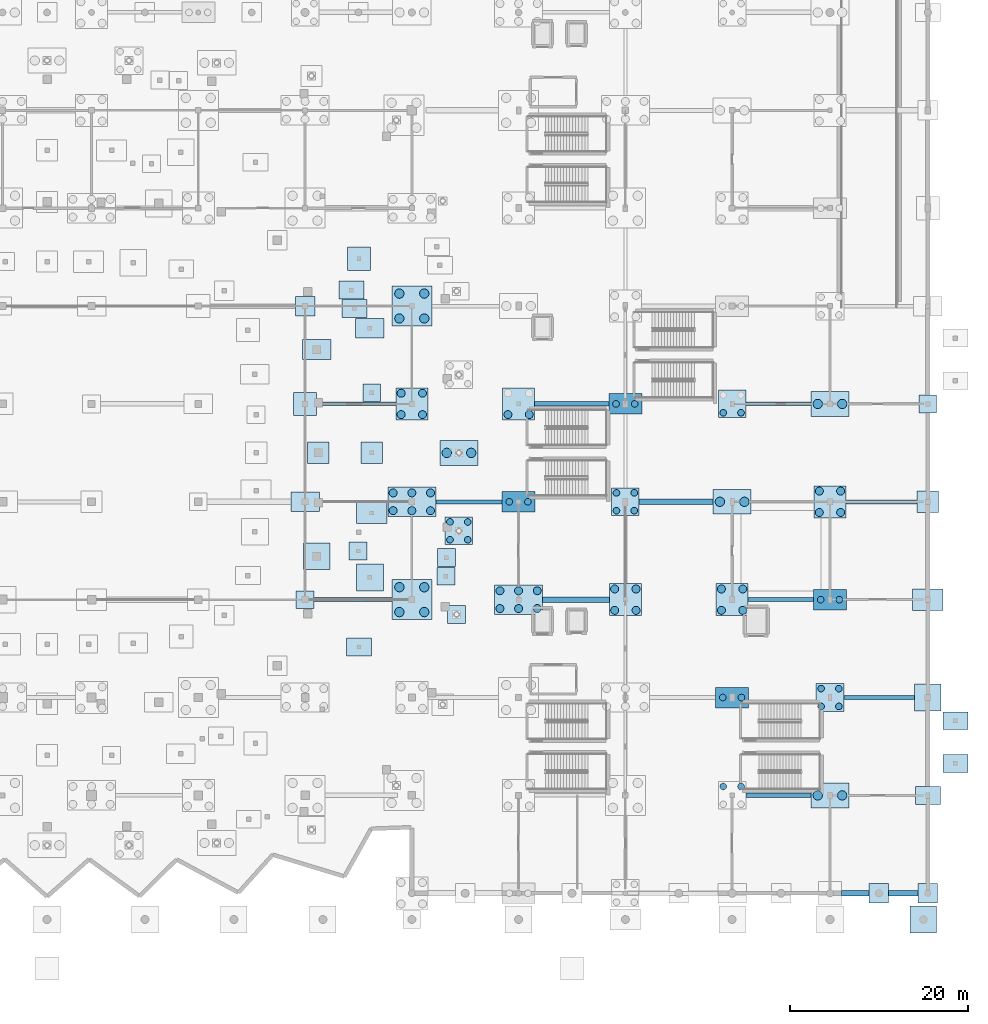
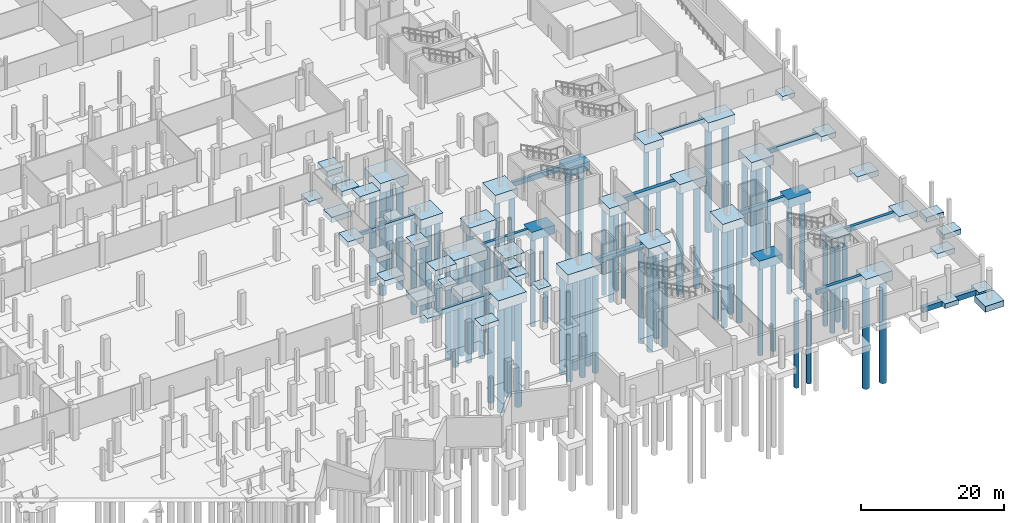
# One storey, part 6 of 60: 70 piles, 63 footings.
"""IFC4 building model written with IfcOpenShell, lengths in metres."""

from ifc_helpers import new_model, si_unit, direction, frame, origin, origin_2d, place, context, subcontext, project, spatial, rectangle, circle, extrude, material, material_profile, profile_set, type_object, element, save


model = new_model("IFC4")

# Units and contexts
model_context = context("Model", 3, precision=1e-05, world=origin(), true_north=direction((0.0, 1.0)))
body_context = subcontext(model_context, "Body", "Model", "MODEL_VIEW")
ifc_project = project(units=[si_unit("LENGTHUNIT", "METRE"), si_unit("AREAUNIT", "SQUARE_METRE"), si_unit("VOLUMEUNIT", "CUBIC_METRE"), si_unit("PLANEANGLEUNIT", "RADIAN"), si_unit("MASSUNIT", "GRAM", prefix="KILO")], contexts=[model_context])

# Site, building, storey
site_placement = place(None, origin())
site = spatial("IfcSite", under=ifc_project, at=site_placement, CompositionType="ELEMENT")
building_placement = place(site_placement, origin())
building = spatial("IfcBuilding", under=site, at=building_placement, Name="Luwafu Chhajja Arena", CompositionType="ELEMENT")
storey_placement = place(building_placement, frame((0.0, 0.0, -5.39990234375)))
storey = spatial("IfcBuildingStorey", under=building, at=storey_placement, Name="B1", CompositionType="ELEMENT", Elevation=-5.39990234375)

# Footings
ifc_material = material(Name="Concrete C35/45", Category="concrete")
footing_type_1 = type_object("IfcFootingType", Name="Arcade Corner Pad Footing PF-7", PredefinedType="PAD_FOOTING", material=ifc_material)
for number, where, z_axis, x_axis, name in (
    (1, (128.0, 33.0, -0.75), (0.0, 0.0, 1.0), (1.0, 0.0, 0.0), "Pad footing PAD-051"),
    (2, (198.0, 55.0, -0.75), (0.0, 0.0, 1.0), (1.0, 0.0, 0.0), "Pad footing PAD-080"),
    (3, (145.031982421875, 31.3388671875, -0.75), (0.0, 0.0, 1.0), (1.0, 0.0, 0.0), "Pad footing PAD-097"),
    (4, (135.490234375, 56.26123046875, -0.75), (0.0, 0.0, 1.0), (1.0, 0.0, 0.0), "Pad footing PAD-141"),
    (5, (133.9658203125, 38.466796875, -0.75), (0.0, 0.0, 1.0), (1.0, 0.0, 0.0), "Pad footing PAD-239"),
    (6, (143.834716796875, 35.626220703125, -0.75), (0.0, 0.0, 1.0), (1.0, 0.0, 0.0), "Pad footing PAD-240"),
    (7, (143.892822265625, 37.725341796875, -0.75), (0.0, 0.0, 1.0), (1.0, 0.0, 0.0), "Pad footing PAD-241"),
):
    element("IfcFooting", number, at=place(storey_placement, frame(where, z_axis=z_axis, x_axis=x_axis)), inside=storey, type_object=footing_type_1, Name=name, PredefinedType="PAD_FOOTING", context=body_context, shape_type="SweptSolid", body=[
        extrude(rectangle(XDim=2.0, YDim=2.0, at=origin_2d()), origin(), (0.0, 0.0, 1.0), 0.75),
    ])
ifc_material_profile_1 = material_profile(ifc_material, rectangle(XDim=0.39990234375, YDim=0.60009765625, at=origin_2d()), Name="RC 400x600")
ifc_profile_set_1 = profile_set([ifc_material_profile_1], Name="Concrete C35/45")
footing_type_2 = type_object("IfcFootingType", Name="Arcade Plinth Tie Beam GB-4", PredefinedType="FOOTING_BEAM", material=ifc_profile_set_1)
footing_1_placement = place(storey_placement, frame((129.300048828125, 55.0, -0.300048828125), z_axis=(1.0, 0.0, 0.0), x_axis=(0.0, 1.0, 0.0)))
element("IfcFooting", 8, at=footing_1_placement, inside=storey, type_object=footing_type_2, Name="Ground tie beam GB-X-046", PredefinedType="FOOTING_BEAM", context=body_context, shape_type="SweptSolid", body=[
    extrude(rectangle(XDim=0.39990234375, YDim=0.60009765625, at=origin_2d()), origin(), (0.0, 0.0, 1.0), 8.89990234375),
])
footing_2_placement = place(storey_placement, frame((177.550048828125, 55.0, -0.300048828125), z_axis=(1.0, 0.0, 0.0), x_axis=(0.0, 1.0, 0.0)))
element("IfcFooting", 9, at=footing_2_placement, inside=storey, type_object=footing_type_2, Name="Ground tie beam GB-X-048", PredefinedType="FOOTING_BEAM", context=body_context, shape_type="SweptSolid", body=[
    extrude(rectangle(XDim=0.39990234375, YDim=0.60009765625, at=origin_2d()), origin(), (0.0, 0.0, 1.0), 7.300048828125),
])

# Piles
ifc_material_profile_2 = material_profile(ifc_material, circle(Radius=0.52490234375, at=origin_2d()), Name="PILE D1050")
ifc_profile_set_2 = profile_set([ifc_material_profile_2], Name="Concrete C35/45")
pile_type_1 = type_object("IfcPileType", Name="Bored Socketed Pile D1050", PredefinedType="BORED", material=ifc_profile_set_2)
for number, where, z_axis, x_axis, name in (
    (10, (138.60009765625, 31.60009765625, -1.60009765625), (0.0, 0.0, -1.0), (1.0, 0.0, 0.0), "Bored pile PIL-PC-3-089-1"),
    (11, (141.39990234375, 31.60009765625, -1.60009765625), (0.0, 0.0, -1.0), (1.0, 0.0, 0.0), "Bored pile PIL-PC-3-089-2"),
    (12, (138.60009765625, 34.39990234375, -1.60009765625), (0.0, 0.0, -1.0), (1.0, 0.0, 0.0), "Bored pile PIL-PC-3-089-3"),
    (13, (141.39990234375, 34.39990234375, -1.60009765625), (0.0, 0.0, -1.0), (1.0, 0.0, 0.0), "Bored pile PIL-PC-3-089-4"),
    (14, (138.60009765625, 64.60009765625, -1.60009765625), (0.0, 0.0, -1.0), (1.0, 0.0, 0.0), "Bored pile PIL-PC-3-092-1"),
    (15, (141.39990234375, 64.60009765625, -1.60009765625), (0.0, 0.0, -1.0), (1.0, 0.0, 0.0), "Bored pile PIL-PC-3-092-2"),
    (16, (138.60009765625, 67.39990234375, -1.60009765625), (0.0, 0.0, -1.0), (1.0, 0.0, 0.0), "Bored pile PIL-PC-3-092-3"),
    (17, (141.39990234375, 67.39990234375, -1.60009765625), (0.0, 0.0, -1.0), (1.0, 0.0, 0.0), "Bored pile PIL-PC-3-092-4"),
    (18, (174.625, 44.0, -1.5), (0.0, 0.0, -1.0), (1.0, 0.0, 0.0), "Bored pile PIL-PC-2-118-1"),
    (19, (177.375, 44.0, -1.5), (0.0, 0.0, -1.0), (1.0, 0.0, 0.0), "Bored pile PIL-PC-2-118-2"),
    (20, (185.625, 11.0, -1.5), (0.0, 0.0, -1.0), (1.0, 0.0, 0.0), "Bored pile PIL-PC-2-124-1"),
    (21, (188.375, 11.0, -1.5), (0.0, 0.0, -1.0), (1.0, 0.0, 0.0), "Bored pile PIL-PC-2-124-2"),
    (22, (185.625, 55.0, -1.5), (0.0, 0.0, -1.0), (1.0, 0.0, 0.0), "Bored pile PIL-PC-2-128-1"),
    (23, (188.375, 55.0, -1.5), (0.0, 0.0, -1.0), (1.0, 0.0, 0.0), "Bored pile PIL-PC-2-128-2"),
    (24, (143.925048828125, 49.5, -1.5), (0.0, 0.0, -1.0), (1.0, 0.0, 0.0), "Bored pile PIL-PC-2-133-1"),
    (25, (146.675048828125, 49.5, -1.5), (0.0, 0.0, -1.0), (1.0, 0.0, 0.0), "Bored pile PIL-PC-2-133-2"),
):
    element("IfcPile", number, at=place(storey_placement, frame(where, z_axis=z_axis, x_axis=x_axis)), inside=storey, type_object=pile_type_1, Name=name, PredefinedType="BORED", context=body_context, shape_type="SweptSolid", body=[
        extrude(circle(Radius=0.52490234375, at=origin_2d()), origin(), (0.0, 0.0, 1.0), 18.0),
    ])
ifc_material_profile_3 = material_profile(ifc_material, circle(Radius=0.375, at=origin_2d()), Name="PILE D750")
ifc_profile_set_3 = profile_set([ifc_material_profile_3], Name="Concrete C35/45")
pile_type_2 = type_object("IfcPileType", Name="Bored Socketed Pile D750", PredefinedType="BORED", material=ifc_profile_set_3)
for number, where, z_axis, x_axis, name in (
    (26, (150.949951171875, 44.0, -1.35009765625), (0.0, 0.0, -1.0), (1.0, 0.0, 0.0), "Bored pile PIL-PC-6-099-1"),
    (27, (153.050048828125, 44.0, -1.35009765625), (0.0, 0.0, -1.0), (1.0, 0.0, 0.0), "Bored pile PIL-PC-6-099-2"),
):
    element("IfcPile", number, at=place(storey_placement, frame(where, z_axis=z_axis, x_axis=x_axis)), inside=storey, type_object=pile_type_2, Name=name, PredefinedType="BORED", context=body_context, shape_type="SweptSolid", body=[
        extrude(circle(Radius=0.375, at=origin_2d()), origin(), (0.0, 0.0, 1.0), 15.5),
    ])
for number, where, z_axis, x_axis, name in (
    (28, (163.0, 43.0, -1.300048828125), (0.0, 0.0, -1.0), (1.0, 0.0, 0.0), "Bored pile PIL-PC-4-109-1"),
    (29, (165.0, 43.0, -1.300048828125), (0.0, 0.0, -1.0), (1.0, 0.0, 0.0), "Bored pile PIL-PC-4-109-2"),
    (30, (163.0, 45.0, -1.300048828125), (0.0, 0.0, -1.0), (1.0, 0.0, 0.0), "Bored pile PIL-PC-4-109-3"),
    (31, (165.0, 45.0, -1.300048828125), (0.0, 0.0, -1.0), (1.0, 0.0, 0.0), "Bored pile PIL-PC-4-109-4"),
):
    element("IfcPile", number, at=place(storey_placement, frame(where, z_axis=z_axis, x_axis=x_axis)), inside=storey, type_object=pile_type_2, Name=name, PredefinedType="BORED", context=body_context, shape_type="SweptSolid", body=[
        extrude(circle(Radius=0.375, at=origin_2d()), origin(), (0.0, 0.0, 1.0), 15.0),
    ])
for number, where, z_axis, x_axis, name in (
    (32, (162.949951171875, 55.0, -1.35009765625), (0.0, 0.0, -1.0), (1.0, 0.0, 0.0), "Bored pile PIL-PC-6-110-1"),
    (33, (165.050048828125, 55.0, -1.35009765625), (0.0, 0.0, -1.0), (1.0, 0.0, 0.0), "Bored pile PIL-PC-6-110-2"),
):
    element("IfcPile", number, at=place(storey_placement, frame(where, z_axis=z_axis, x_axis=x_axis)), inside=storey, type_object=pile_type_2, Name=name, PredefinedType="BORED", context=body_context, shape_type="SweptSolid", body=[
        extrude(circle(Radius=0.375, at=origin_2d()), origin(), (0.0, 0.0, 1.0), 15.5),
    ])
for number, where, z_axis, x_axis, name in (
    (34, (175.0, 12.0, -1.300048828125), (0.0, 0.0, -1.0), (1.0, 0.0, 0.0), "Bored pile PIL-PC-4-115-3"),
    (35, (177.0, 12.0, -1.300048828125), (0.0, 0.0, -1.0), (1.0, 0.0, 0.0), "Bored pile PIL-PC-4-115-4"),
):
    element("IfcPile", number, at=place(storey_placement, frame(where, z_axis=z_axis, x_axis=x_axis)), inside=storey, type_object=pile_type_2, Name=name, PredefinedType="BORED", context=body_context, shape_type="SweptSolid", body=[
        extrude(circle(Radius=0.375, at=origin_2d()), origin(), (0.0, 0.0, 1.0), 15.0),
    ])
for number, where, z_axis, x_axis, name in (
    (36, (174.949951171875, 22.0, -1.35009765625), (0.0, 0.0, -1.0), (1.0, 0.0, 0.0), "Bored pile PIL-PC-6-116-1"),
    (37, (177.050048828125, 22.0, -1.35009765625), (0.0, 0.0, -1.0), (1.0, 0.0, 0.0), "Bored pile PIL-PC-6-116-2"),
):
    element("IfcPile", number, at=place(storey_placement, frame(where, z_axis=z_axis, x_axis=x_axis)), inside=storey, type_object=pile_type_2, Name=name, PredefinedType="BORED", context=body_context, shape_type="SweptSolid", body=[
        extrude(circle(Radius=0.375, at=origin_2d()), origin(), (0.0, 0.0, 1.0), 15.5),
    ])
for number, where, z_axis, x_axis, name in (
    (38, (175.0, 54.0, -1.300048828125), (0.0, 0.0, -1.0), (1.0, 0.0, 0.0), "Bored pile PIL-PC-4-119-1"),
    (39, (177.0, 54.0, -1.300048828125), (0.0, 0.0, -1.0), (1.0, 0.0, 0.0), "Bored pile PIL-PC-4-119-2"),
    (40, (186.0, 21.0, -1.300048828125), (0.0, 0.0, -1.0), (1.0, 0.0, 0.0), "Bored pile PIL-PC-4-125-1"),
    (41, (188.0, 21.0, -1.300048828125), (0.0, 0.0, -1.0), (1.0, 0.0, 0.0), "Bored pile PIL-PC-4-125-2"),
    (42, (186.0, 23.0, -1.300048828125), (0.0, 0.0, -1.0), (1.0, 0.0, 0.0), "Bored pile PIL-PC-4-125-3"),
    (43, (188.0, 23.0, -1.300048828125), (0.0, 0.0, -1.0), (1.0, 0.0, 0.0), "Bored pile PIL-PC-4-125-4"),
):
    element("IfcPile", number, at=place(storey_placement, frame(where, z_axis=z_axis, x_axis=x_axis)), inside=storey, type_object=pile_type_2, Name=name, PredefinedType="BORED", context=body_context, shape_type="SweptSolid", body=[
        extrude(circle(Radius=0.375, at=origin_2d()), origin(), (0.0, 0.0, 1.0), 15.0),
    ])
for number, where, z_axis, x_axis, name in (
    (44, (185.949951171875, 33.0, -1.35009765625), (0.0, 0.0, -1.0), (1.0, 0.0, 0.0), "Bored pile PIL-PC-6-126-1"),
    (45, (188.050048828125, 33.0, -1.35009765625), (0.0, 0.0, -1.0), (1.0, 0.0, 0.0), "Bored pile PIL-PC-6-126-2"),
):
    element("IfcPile", number, at=place(storey_placement, frame(where, z_axis=z_axis, x_axis=x_axis)), inside=storey, type_object=pile_type_2, Name=name, PredefinedType="BORED", context=body_context, shape_type="SweptSolid", body=[
        extrude(circle(Radius=0.375, at=origin_2d()), origin(), (0.0, 0.0, 1.0), 15.5),
    ])
for number, where, z_axis, x_axis, name in (
    (46, (144.28759765625, 39.730224609375, -1.300048828125), (0.0, 0.0, -1.0), (1.0, 0.0, 0.0), "Bored pile PIL-PC-4-148-1"),
    (47, (146.28759765625, 39.730224609375, -1.300048828125), (0.0, 0.0, -1.0), (1.0, 0.0, 0.0), "Bored pile PIL-PC-4-148-2"),
    (48, (144.28759765625, 41.730224609375, -1.300048828125), (0.0, 0.0, -1.0), (1.0, 0.0, 0.0), "Bored pile PIL-PC-4-148-3"),
    (49, (146.28759765625, 41.730224609375, -1.300048828125), (0.0, 0.0, -1.0), (1.0, 0.0, 0.0), "Bored pile PIL-PC-4-148-4"),
):
    element("IfcPile", number, at=place(storey_placement, frame(where, z_axis=z_axis, x_axis=x_axis)), inside=storey, type_object=pile_type_2, Name=name, PredefinedType="BORED", context=body_context, shape_type="SweptSolid", body=[
        extrude(circle(Radius=0.375, at=origin_2d()), origin(), (0.0, 0.0, 1.0), 15.0),
    ])
ifc_material_profile_4 = material_profile(ifc_material, circle(Radius=0.449951171875, at=origin_2d()), Name="PILE D900")
ifc_profile_set_4 = profile_set([ifc_material_profile_4], Name="Concrete C35/45")
pile_type_3 = type_object("IfcPileType", Name="Bored Socketed Pile D900", PredefinedType="BORED", material=ifc_profile_set_4)
for number, where, z_axis, x_axis, name in (
    (50, (137.89990234375, 43.0, -1.550048828125), (0.0, 0.0, -1.0), (1.0, 0.0, 0.0), "Bored pile PIL-PC-5-090-1"),
    (51, (140.0, 43.0, -1.550048828125), (0.0, 0.0, -1.0), (1.0, 0.0, 0.0), "Bored pile PIL-PC-5-090-2"),
    (52, (142.10009765625, 43.0, -1.550048828125), (0.0, 0.0, -1.0), (1.0, 0.0, 0.0), "Bored pile PIL-PC-5-090-3"),
    (53, (137.89990234375, 45.0, -1.550048828125), (0.0, 0.0, -1.0), (1.0, 0.0, 0.0), "Bored pile PIL-PC-5-090-4"),
    (54, (140.0, 45.0, -1.550048828125), (0.0, 0.0, -1.0), (1.0, 0.0, 0.0), "Bored pile PIL-PC-5-090-5"),
    (55, (142.10009765625, 45.0, -1.550048828125), (0.0, 0.0, -1.0), (1.0, 0.0, 0.0), "Bored pile PIL-PC-5-090-6"),
):
    element("IfcPile", number, at=place(storey_placement, frame(where, z_axis=z_axis, x_axis=x_axis)), inside=storey, type_object=pile_type_3, Name=name, PredefinedType="BORED", context=body_context, shape_type="SweptSolid", body=[
        extrude(circle(Radius=0.449951171875, at=origin_2d()), origin(), (0.0, 0.0, 1.0), 17.0),
    ])
for number, where, z_axis, x_axis, name in (
    (56, (138.800048828125, 53.800048828125, -1.400146484375), (0.0, 0.0, -1.0), (1.0, 0.0, 0.0), "Bored pile PIL-PC-1-091-1"),
    (57, (141.199951171875, 53.800048828125, -1.400146484375), (0.0, 0.0, -1.0), (1.0, 0.0, 0.0), "Bored pile PIL-PC-1-091-2"),
    (58, (138.800048828125, 56.199951171875, -1.400146484375), (0.0, 0.0, -1.0), (1.0, 0.0, 0.0), "Bored pile PIL-PC-1-091-3"),
    (59, (141.199951171875, 56.199951171875, -1.400146484375), (0.0, 0.0, -1.0), (1.0, 0.0, 0.0), "Bored pile PIL-PC-1-091-4"),
):
    element("IfcPile", number, at=place(storey_placement, frame(where, z_axis=z_axis, x_axis=x_axis)), inside=storey, type_object=pile_type_3, Name=name, PredefinedType="BORED", context=body_context, shape_type="SweptSolid", body=[
        extrude(circle(Radius=0.449951171875, at=origin_2d()), origin(), (0.0, 0.0, 1.0), 16.5),
    ])
for number, where, z_axis, x_axis, name in (
    (60, (149.89990234375, 32.0, -1.550048828125), (0.0, 0.0, -1.0), (1.0, 0.0, 0.0), "Bored pile PIL-PC-5-098-1"),
    (61, (152.0, 32.0, -1.550048828125), (0.0, 0.0, -1.0), (1.0, 0.0, 0.0), "Bored pile PIL-PC-5-098-2"),
    (62, (154.10009765625, 32.0, -1.550048828125), (0.0, 0.0, -1.0), (1.0, 0.0, 0.0), "Bored pile PIL-PC-5-098-3"),
    (63, (149.89990234375, 34.0, -1.550048828125), (0.0, 0.0, -1.0), (1.0, 0.0, 0.0), "Bored pile PIL-PC-5-098-4"),
    (64, (152.0, 34.0, -1.550048828125), (0.0, 0.0, -1.0), (1.0, 0.0, 0.0), "Bored pile PIL-PC-5-098-5"),
    (65, (154.10009765625, 34.0, -1.550048828125), (0.0, 0.0, -1.0), (1.0, 0.0, 0.0), "Bored pile PIL-PC-5-098-6"),
):
    element("IfcPile", number, at=place(storey_placement, frame(where, z_axis=z_axis, x_axis=x_axis)), inside=storey, type_object=pile_type_3, Name=name, PredefinedType="BORED", context=body_context, shape_type="SweptSolid", body=[
        extrude(circle(Radius=0.449951171875, at=origin_2d()), origin(), (0.0, 0.0, 1.0), 17.0),
    ])
for number, where, z_axis, x_axis, name in (
    (66, (150.800048828125, 53.800048828125, -1.400146484375), (0.0, 0.0, -1.0), (1.0, 0.0, 0.0), "Bored pile PIL-PC-1-100-1"),
    (67, (153.199951171875, 53.800048828125, -1.400146484375), (0.0, 0.0, -1.0), (1.0, 0.0, 0.0), "Bored pile PIL-PC-1-100-2"),
    (68, (162.800048828125, 31.800048828125, -1.400146484375), (0.0, 0.0, -1.0), (1.0, 0.0, 0.0), "Bored pile PIL-PC-1-108-1"),
    (69, (165.199951171875, 31.800048828125, -1.400146484375), (0.0, 0.0, -1.0), (1.0, 0.0, 0.0), "Bored pile PIL-PC-1-108-2"),
    (70, (162.800048828125, 34.199951171875, -1.400146484375), (0.0, 0.0, -1.0), (1.0, 0.0, 0.0), "Bored pile PIL-PC-1-108-3"),
    (71, (165.199951171875, 34.199951171875, -1.400146484375), (0.0, 0.0, -1.0), (1.0, 0.0, 0.0), "Bored pile PIL-PC-1-108-4"),
    (72, (174.800048828125, 31.800048828125, -1.400146484375), (0.0, 0.0, -1.0), (1.0, 0.0, 0.0), "Bored pile PIL-PC-1-117-1"),
    (73, (177.199951171875, 31.800048828125, -1.400146484375), (0.0, 0.0, -1.0), (1.0, 0.0, 0.0), "Bored pile PIL-PC-1-117-2"),
    (74, (174.800048828125, 34.199951171875, -1.400146484375), (0.0, 0.0, -1.0), (1.0, 0.0, 0.0), "Bored pile PIL-PC-1-117-3"),
    (75, (177.199951171875, 34.199951171875, -1.400146484375), (0.0, 0.0, -1.0), (1.0, 0.0, 0.0), "Bored pile PIL-PC-1-117-4"),
    (76, (185.800048828125, 42.800048828125, -1.400146484375), (0.0, 0.0, -1.0), (1.0, 0.0, 0.0), "Bored pile PIL-PC-1-127-1"),
    (77, (188.199951171875, 42.800048828125, -1.400146484375), (0.0, 0.0, -1.0), (1.0, 0.0, 0.0), "Bored pile PIL-PC-1-127-2"),
    (78, (185.800048828125, 45.199951171875, -1.400146484375), (0.0, 0.0, -1.0), (1.0, 0.0, 0.0), "Bored pile PIL-PC-1-127-3"),
    (79, (188.199951171875, 45.199951171875, -1.400146484375), (0.0, 0.0, -1.0), (1.0, 0.0, 0.0), "Bored pile PIL-PC-1-127-4"),
):
    element("IfcPile", number, at=place(storey_placement, frame(where, z_axis=z_axis, x_axis=x_axis)), inside=storey, type_object=pile_type_3, Name=name, PredefinedType="BORED", context=body_context, shape_type="SweptSolid", body=[
        extrude(circle(Radius=0.449951171875, at=origin_2d()), origin(), (0.0, 0.0, 1.0), 16.5),
    ])

# Footings
footing_type_3 = type_object("IfcFootingType", Name="Charbagh Arcade Pad Footing PF-2", PredefinedType="PAD_FOOTING", material=ifc_material)
for number, where, z_axis, x_axis, name in (
    (80, (128.0, 66.0, -0.80029296875), (0.0, 0.0, 1.0), (1.0, 0.0, 0.0), "Pad footing PAD-054"),
    (81, (198.0, 0.0, -0.80029296875), (0.0, 0.0, 1.0), (1.0, 0.0, 0.0), "Pad footing PAD-075"),
    (82, (192.5, 0.0, -0.80029296875), (0.0, 0.0, 1.0), (1.0, 0.0, 0.0), "Pad footing PAD-104"),
):
    element("IfcFooting", number, at=place(storey_placement, frame(where, z_axis=z_axis, x_axis=x_axis)), inside=storey, type_object=footing_type_3, Name=name, PredefinedType="PAD_FOOTING", context=body_context, shape_type="SweptSolid", body=[
        extrude(rectangle(XDim=2.199951171875, YDim=2.199951171875, at=origin_2d()), origin(), (0.0, 0.0, 1.0), 0.800048828125),
    ])
footing_type_4 = type_object("IfcFootingType", Name="Colonnade Pad Footing PF-1", PredefinedType="PAD_FOOTING", material=ifc_material)
for number, where, z_axis, x_axis, name in (
    (83, (128.0, 55.0, -0.900146484375), (0.0, 0.0, 1.0), (1.0, 0.0, 0.0), "Pad footing PAD-053"),
    (84, (134.06201171875, 71.322998046875, -0.900146484375), (0.0, 0.0, 1.0), (1.0, 0.0, 0.0), "Pad footing PAD-146"),
):
    element("IfcFooting", number, at=place(storey_placement, frame(where, z_axis=z_axis, x_axis=x_axis)), inside=storey, type_object=footing_type_4, Name=name, PredefinedType="PAD_FOOTING", context=body_context, shape_type="SweptSolid", body=[
        extrude(rectangle(XDim=2.60009765625, YDim=2.60009765625, at=origin_2d()), origin(), (0.0, 0.0, 1.0), 0.89990234375),
    ])
footing_type_5 = type_object("IfcFootingType", Name="Forecourt Canopy Pad Footing PF-3", PredefinedType="PAD_FOOTING", material=ifc_material)
for number, where, z_axis, x_axis, name in (
    (85, (198.0, 11.0, -0.85009765625), (0.0, 0.0, 1.0), (1.0, 0.0, 0.0), "Pad footing PAD-076"),
    (86, (134.06201171875, 27.677001953125, -0.85009765625), (0.0, 0.0, 1.0), (1.0, 0.0, 0.0), "Pad footing PAD-207"),
    (87, (201.10009765625, 14.60009765625, -0.85009765625), (0.0, 0.0, 1.0), (1.0, 0.0, 0.0), "Pad footing PAD-214"),
    (88, (201.10009765625, 19.39990234375, -0.85009765625), (0.0, 0.0, 1.0), (1.0, 0.0, 0.0), "Pad footing PAD-215"),
    (89, (133.542236328125, 65.724609375, -0.85009765625), (0.0, 0.0, 1.0), (1.0, 0.0, 0.0), "Pad footing PAD-218"),
    (90, (133.216796875, 67.799072265625, -0.85009765625), (0.0, 0.0, 1.0), (1.0, 0.0, 0.0), "Pad footing PAD-219"),
):
    element("IfcFooting", number, at=place(storey_placement, frame(where, z_axis=z_axis, x_axis=x_axis)), inside=storey, type_object=footing_type_5, Name=name, PredefinedType="PAD_FOOTING", context=body_context, shape_type="SweptSolid", body=[
        extrude(rectangle(XDim=2.800048828125, YDim=2.0, at=origin_2d()), origin(), (0.0, 0.0, 1.0), 0.85009765625),
    ])
footing_type_6 = type_object("IfcFootingType", Name="Light Court Pad Footing PF-8", PredefinedType="PAD_FOOTING", material=ifc_material)
for number, where, z_axis, x_axis, name in (
    (91, (128.0, 44.0, -0.900146484375), (0.0, 0.0, 1.0), (1.0, 0.0, 0.0), "Pad footing PAD-052"),
    (92, (135.288818359375, 63.501708984375, -0.900146484375), (0.0, 0.0, 1.0), (1.0, 0.0, 0.0), "Pad footing PAD-143"),
    (93, (129.323486328125, 61.11328125, -0.900146484375), (0.0, 0.0, 1.0), (1.0, 0.0, 0.0), "Pad footing PAD-144"),
):
    element("IfcFooting", number, at=place(storey_placement, frame(where, z_axis=z_axis, x_axis=x_axis)), inside=storey, type_object=footing_type_6, Name=name, PredefinedType="PAD_FOOTING", context=body_context, shape_type="SweptSolid", body=[
        extrude(rectangle(XDim=3.199951171875, YDim=2.199951171875, at=origin_2d()), origin(), (0.0, 0.0, 1.0), 0.89990234375),
    ])
footing_type_7 = type_object("IfcFootingType", Name="Pavilion Corner Pad Footing PF-4", PredefinedType="PAD_FOOTING", material=ifc_material)
for number, where, z_axis, x_axis, name in (
    (94, (198.0, 22.0, -1.0), (0.0, 0.0, 1.0), (1.0, 0.0, 0.0), "Pad footing PAD-077"),
    (95, (197.5, -2.949951171875, -1.0), (0.0, 0.0, 1.0), (1.0, 0.0, 0.0), "Pad footing PAD-136"),
    (96, (135.288818359375, 35.498291015625, -1.0), (0.0, 0.0, 1.0), (1.0, 0.0, 0.0), "Pad footing PAD-209"),
    (97, (129.323486328125, 37.88671875, -1.0), (0.0, 0.0, 1.0), (1.0, 0.0, 0.0), "Pad footing PAD-210"),
):
    element("IfcFooting", number, at=place(storey_placement, frame(where, z_axis=z_axis, x_axis=x_axis)), inside=storey, type_object=footing_type_7, Name=name, PredefinedType="PAD_FOOTING", context=body_context, shape_type="SweptSolid", body=[
        extrude(rectangle(XDim=3.0, YDim=3.0, at=origin_2d()), origin(), (0.0, 0.0, 1.0), 1.0),
    ])
ifc_material_profile_5 = material_profile(ifc_material, rectangle(XDim=0.449951171875, YDim=0.75, at=origin_2d()), Name="RC 450x750")
ifc_profile_set_5 = profile_set([ifc_material_profile_5], Name="Concrete C35/45")
footing_type_8 = type_object("IfcFootingType", Name="Perimeter Plinth Ground Beam GB-3", PredefinedType="FOOTING_BEAM", material=ifc_profile_set_5)
footing_3_placement = place(storey_placement, frame((129.0, 33.0, -0.375), z_axis=(1.0, 0.0, 0.0), x_axis=(0.0, 1.0, 0.0)))
element("IfcFooting", 98, at=footing_3_placement, inside=storey, type_object=footing_type_8, Name="Ground tie beam GB-X-029", PredefinedType="FOOTING_BEAM", context=body_context, shape_type="SweptSolid", body=[
    extrude(rectangle(XDim=0.449951171875, YDim=0.75, at=origin_2d()), origin(), (0.0, 0.0, 1.0), 8.75),
])
footing_4_placement = place(storey_placement, frame((177.800048828125, 33.0, -0.375), z_axis=(1.0, 0.0, 0.0), x_axis=(0.0, 1.0, 0.0)))
element("IfcFooting", 99, at=footing_4_placement, inside=storey, type_object=footing_type_8, Name="Ground tie beam GB-X-031", PredefinedType="FOOTING_BEAM", context=body_context, shape_type="SweptSolid", body=[
    extrude(rectangle(XDim=0.449951171875, YDim=0.75, at=origin_2d()), origin(), (0.0, 0.0, 1.0), 7.349853515625),
])
footing_5_placement = place(storey_placement, frame((142.699951171875, 44.0, -0.375), z_axis=(1.0, 0.0, 0.0), x_axis=(0.0, 1.0, 0.0)))
element("IfcFooting", 100, at=footing_5_placement, inside=storey, type_object=footing_type_8, Name="Ground tie beam GB-X-038", PredefinedType="FOOTING_BEAM", context=body_context, shape_type="SweptSolid", body=[
    extrude(rectangle(XDim=0.449951171875, YDim=0.75, at=origin_2d()), origin(), (0.0, 0.0, 1.0), 7.449951171875),
])
footing_6_placement = place(storey_placement, frame((188.800048828125, 44.0, -0.375), z_axis=(1.0, 0.0, 0.0), x_axis=(0.0, 1.0, 0.0)))
element("IfcFooting", 101, at=footing_6_placement, inside=storey, type_object=footing_type_8, Name="Ground tie beam GB-X-040", PredefinedType="FOOTING_BEAM", context=body_context, shape_type="SweptSolid", body=[
    extrude(rectangle(XDim=0.449951171875, YDim=0.75, at=origin_2d()), origin(), (0.0, 0.0, 1.0), 8.0),
])
ifc_material_profile_6 = material_profile(ifc_material, rectangle(XDim=0.60009765625, YDim=0.89990234375, at=origin_2d()), Name="RC 600x900")
ifc_profile_set_6 = profile_set([ifc_material_profile_6], Name="Concrete C35/45")
footing_type_9 = type_object("IfcFootingType", Name="Primary Ground Tie Beam GB-1", PredefinedType="FOOTING_BEAM", material=ifc_profile_set_6)
footing_7_placement = place(storey_placement, frame((188.300048828125, 0.0, -0.4501953125), z_axis=(1.0, 0.0, 0.0), x_axis=(0.0, 1.0, 0.0)))
element("IfcFooting", 102, at=footing_7_placement, inside=storey, type_object=footing_type_9, Name="Ground tie beam GB-X-006", PredefinedType="FOOTING_BEAM", context=body_context, shape_type="SweptSolid", body=[
    extrude(rectangle(XDim=0.60009765625, YDim=0.89990234375, at=origin_2d()), origin(), (0.0, 0.0, 1.0), 8.599853515625),
])
footing_8_placement = place(storey_placement, frame((154.699951171875, 33.0, -0.4501953125), z_axis=(1.0, 0.0, 0.0), x_axis=(0.0, 1.0, 0.0)))
element("IfcFooting", 103, at=footing_8_placement, inside=storey, type_object=footing_type_9, Name="Ground tie beam GB-X-030", PredefinedType="FOOTING_BEAM", context=body_context, shape_type="SweptSolid", body=[
    extrude(rectangle(XDim=0.60009765625, YDim=0.89990234375, at=origin_2d()), origin(), (0.0, 0.0, 1.0), 7.5),
])
footing_9_placement = place(storey_placement, frame((165.550048828125, 44.0, -0.4501953125), z_axis=(1.0, 0.0, 0.0), x_axis=(0.0, 1.0, 0.0)))
element("IfcFooting", 104, at=footing_9_placement, inside=storey, type_object=footing_type_9, Name="Ground tie beam GB-X-039", PredefinedType="FOOTING_BEAM", context=body_context, shape_type="SweptSolid", body=[
    extrude(rectangle(XDim=0.60009765625, YDim=0.89990234375, at=origin_2d()), origin(), (0.0, 0.0, 1.0), 8.300048828125),
])
footing_type_10 = type_object("IfcFootingType", Name="Raker Plinth Pad Footing PF-6", PredefinedType="PAD_FOOTING", material=ifc_material)
for number, where, z_axis, x_axis, name in (
    (105, (198.0, 44.0, -0.85009765625), (0.0, 0.0, 1.0), (1.0, 0.0, 0.0), "Pad footing PAD-079"),
    (106, (135.5, 49.5, -0.85009765625), (0.0, 0.0, 1.0), (1.0, 0.0, 0.0), "Pad footing PAD-138"),
    (107, (129.5, 49.5, -0.85009765625), (0.0, 0.0, 1.0), (1.0, 0.0, 0.0), "Pad footing PAD-139"),
):
    element("IfcFooting", number, at=place(storey_placement, frame(where, z_axis=z_axis, x_axis=x_axis)), inside=storey, type_object=footing_type_10, Name=name, PredefinedType="PAD_FOOTING", context=body_context, shape_type="SweptSolid", body=[
        extrude(rectangle(XDim=2.39990234375, YDim=2.39990234375, at=origin_2d()), origin(), (0.0, 0.0, 1.0), 0.85009765625),
    ])
footing_type_11 = type_object("IfcFootingType", Name="Ramp Toe Pad Footing PF-5", PredefinedType="PAD_FOOTING", material=ifc_material)
for number, where, z_axis, x_axis, name in (
    (108, (198.0, 33.0, -0.9501953125), (0.0, 0.0, 1.0), (1.0, 0.0, 0.0), "Pad footing PAD-078"),
    (109, (135.490234375, 42.73876953125, -0.9501953125), (0.0, 0.0, 1.0), (1.0, 0.0, 0.0), "Pad footing PAD-212"),
):
    element("IfcFooting", number, at=place(storey_placement, frame(where, z_axis=z_axis, x_axis=x_axis)), inside=storey, type_object=footing_type_11, Name=name, PredefinedType="PAD_FOOTING", context=body_context, shape_type="SweptSolid", body=[
        extrude(rectangle(XDim=3.39990234375, YDim=2.39990234375, at=origin_2d()), origin(), (0.0, 0.0, 1.0), 0.949951171875),
    ])
footing_type_12 = type_object("IfcFootingType", Name="Reinforced Concrete Pile Cap PC-1", PredefinedType="PILE_CAP", material=ifc_material)
for number, where, z_axis, x_axis, name in (
    (110, (140.0, 55.0, -1.5), (0.0, 0.0, 1.0), (1.0, 0.0, 0.0), "Pile cap PC-1 091"),
    (111, (152.0, 55.0, -1.5), (0.0, 0.0, 1.0), (1.0, 0.0, 0.0), "Pile cap PC-1 100"),
    (112, (164.0, 33.0, -1.5), (0.0, 0.0, 1.0), (1.0, 0.0, 0.0), "Pile cap PC-1 108"),
    (113, (176.0, 33.0, -1.5), (0.0, 0.0, 1.0), (1.0, 0.0, 0.0), "Pile cap PC-1 117"),
    (114, (187.0, 44.0, -1.5), (0.0, 0.0, 1.0), (1.0, 0.0, 0.0), "Pile cap PC-1 127"),
):
    element("IfcFooting", number, at=place(storey_placement, frame(where, z_axis=z_axis, x_axis=x_axis)), inside=storey, type_object=footing_type_12, Name=name, PredefinedType="PILE_CAP", context=body_context, shape_type="SweptSolid", body=[
        extrude(rectangle(XDim=3.60009765625, YDim=3.60009765625, at=origin_2d()), origin(), (0.0, 0.0, 1.0), 1.5),
    ])
footing_type_13 = type_object("IfcFootingType", Name="Reinforced Concrete Pile Cap PC-2", PredefinedType="PILE_CAP", material=ifc_material)
for number, where, z_axis, x_axis, name in (
    (115, (176.0, 44.0, -1.60009765625), (0.0, 0.0, 1.0), (1.0, 0.0, 0.0), "Pile cap PC-2 118"),
    (116, (187.0, 11.0, -1.60009765625), (0.0, 0.0, 1.0), (1.0, 0.0, 0.0), "Pile cap PC-2 124"),
    (117, (187.0, 55.0, -1.60009765625), (0.0, 0.0, 1.0), (1.0, 0.0, 0.0), "Pile cap PC-2 128"),
    (118, (145.300048828125, 49.5, -1.60009765625), (0.0, 0.0, 1.0), (1.0, 0.0, 0.0), "Pile cap PC-2 133"),
):
    element("IfcFooting", number, at=place(storey_placement, frame(where, z_axis=z_axis, x_axis=x_axis)), inside=storey, type_object=footing_type_13, Name=name, PredefinedType="PILE_CAP", context=body_context, shape_type="SweptSolid", body=[
        extrude(rectangle(XDim=4.300048828125, YDim=2.800048828125, at=origin_2d()), origin(), (0.0, 0.0, 1.0), 1.60009765625),
    ])
footing_type_14 = type_object("IfcFootingType", Name="Reinforced Concrete Pile Cap PC-3", PredefinedType="PILE_CAP", material=ifc_material)
for number, where, z_axis, x_axis, name in (
    (119, (140.0, 33.0, -1.7001953125), (0.0, 0.0, 1.0), (1.0, 0.0, 0.0), "Pile cap PC-3 089"),
    (120, (140.0, 66.0, -1.7001953125), (0.0, 0.0, 1.0), (1.0, 0.0, 0.0), "Pile cap PC-3 092"),
):
    element("IfcFooting", number, at=place(storey_placement, frame(where, z_axis=z_axis, x_axis=x_axis)), inside=storey, type_object=footing_type_14, Name=name, PredefinedType="PILE_CAP", context=body_context, shape_type="SweptSolid", body=[
        extrude(rectangle(XDim=4.5, YDim=4.5, at=origin_2d()), origin(), (0.0, 0.0, 1.0), 1.699951171875),
    ])
footing_type_15 = type_object("IfcFootingType", Name="Reinforced Concrete Pile Cap PC-4", PredefinedType="PILE_CAP", material=ifc_material)
for number, where, z_axis, x_axis, name in (
    (121, (164.0, 44.0, -1.400146484375), (0.0, 0.0, 1.0), (1.0, 0.0, 0.0), "Pile cap PC-4 109"),
    (122, (176.0, 55.0, -1.400146484375), (0.0, 0.0, 1.0), (1.0, 0.0, 0.0), "Pile cap PC-4 119"),
    (123, (187.0, 22.0, -1.400146484375), (0.0, 0.0, 1.0), (1.0, 0.0, 0.0), "Pile cap PC-4 125"),
    (124, (145.28759765625, 40.730224609375, -1.400146484375), (0.0, 0.0, 1.0), (1.0, 0.0, 0.0), "Pile cap PC-4 148"),
):
    element("IfcFooting", number, at=place(storey_placement, frame(where, z_axis=z_axis, x_axis=x_axis)), inside=storey, type_object=footing_type_15, Name=name, PredefinedType="PILE_CAP", context=body_context, shape_type="SweptSolid", body=[
        extrude(rectangle(XDim=3.10009765625, YDim=3.10009765625, at=origin_2d()), origin(), (0.0, 0.0, 1.0), 1.39990234375),
    ])
footing_type_16 = type_object("IfcFootingType", Name="Reinforced Concrete Pile Cap PC-5", PredefinedType="PILE_CAP", material=ifc_material)
for number, where, z_axis, x_axis, name in (
    (125, (140.0, 44.0, -1.650146484375), (0.0, 0.0, 1.0), (1.0, 0.0, 0.0), "Pile cap PC-5 090"),
    (126, (152.0, 33.0, -1.650146484375), (0.0, 0.0, 1.0), (1.0, 0.0, 0.0), "Pile cap PC-5 098"),
):
    element("IfcFooting", number, at=place(storey_placement, frame(where, z_axis=z_axis, x_axis=x_axis)), inside=storey, type_object=footing_type_16, Name=name, PredefinedType="PILE_CAP", context=body_context, shape_type="SweptSolid", body=[
        extrude(rectangle(XDim=5.39990234375, YDim=3.300048828125, at=origin_2d()), origin(), (0.0, 0.0, 1.0), 1.64990234375),
    ])
footing_type_17 = type_object("IfcFootingType", Name="Reinforced Concrete Pile Cap PC-6", PredefinedType="PILE_CAP", material=ifc_material)
for number, where, z_axis, x_axis, name in (
    (127, (152.0, 44.0, -1.4501953125), (0.0, 0.0, 1.0), (1.0, 0.0, 0.0), "Pile cap PC-6 099"),
    (128, (164.0, 55.0, -1.4501953125), (0.0, 0.0, 1.0), (1.0, 0.0, 0.0), "Pile cap PC-6 110"),
    (129, (176.0, 22.0, -1.4501953125), (0.0, 0.0, 1.0), (1.0, 0.0, 0.0), "Pile cap PC-6 116"),
    (130, (187.0, 33.0, -1.4501953125), (0.0, 0.0, 1.0), (1.0, 0.0, 0.0), "Pile cap PC-6 126"),
):
    element("IfcFooting", number, at=place(storey_placement, frame(where, z_axis=z_axis, x_axis=x_axis)), inside=storey, type_object=footing_type_17, Name=name, PredefinedType="PILE_CAP", context=body_context, shape_type="SweptSolid", body=[
        extrude(rectangle(XDim=3.699951171875, YDim=2.300048828125, at=origin_2d()), origin(), (0.0, 0.0, 1.0), 1.449951171875),
    ])
ifc_material_profile_7 = material_profile(ifc_material, rectangle(XDim=0.5, YDim=0.800048828125, at=origin_2d()), Name="RC 500x800")
ifc_profile_set_7 = profile_set([ifc_material_profile_7], Name="Concrete C35/45")
footing_type_18 = type_object("IfcFootingType", Name="Secondary Ground Tie Beam GB-2", PredefinedType="FOOTING_BEAM", material=ifc_profile_set_7)
footing_10_placement = place(storey_placement, frame((177.550048828125, 11.0, -0.400146484375), z_axis=(1.0, 0.0, 0.0), x_axis=(0.0, 1.0, 0.0)))
element("IfcFooting", 131, at=footing_10_placement, inside=storey, type_object=footing_type_18, Name="Ground tie beam GB-X-014", PredefinedType="FOOTING_BEAM", context=body_context, shape_type="SweptSolid", body=[
    extrude(rectangle(XDim=0.5, YDim=0.800048828125, at=origin_2d()), origin(), (0.0, 0.0, 1.0), 7.300048828125),
])
footing_11_placement = place(storey_placement, frame((188.550048828125, 22.0, -0.400146484375), z_axis=(1.0, 0.0, 0.0), x_axis=(0.0, 1.0, 0.0)))
element("IfcFooting", 132, at=footing_11_placement, inside=storey, type_object=footing_type_18, Name="Ground tie beam GB-X-023", PredefinedType="FOOTING_BEAM", context=body_context, shape_type="SweptSolid", body=[
    extrude(rectangle(XDim=0.5, YDim=0.800048828125, at=origin_2d()), origin(), (0.0, 0.0, 1.0), 7.949951171875),
])
footing_12_placement = place(storey_placement, frame((153.800048828125, 55.0, -0.400146484375), z_axis=(1.0, 0.0, 0.0), x_axis=(0.0, 1.0, 0.0)))
element("IfcFooting", 133, at=footing_12_placement, inside=storey, type_object=footing_type_18, Name="Ground tie beam GB-X-047", PredefinedType="FOOTING_BEAM", context=body_context, shape_type="SweptSolid", body=[
    extrude(rectangle(XDim=0.5, YDim=0.800048828125, at=origin_2d()), origin(), (0.0, 0.0, 1.0), 8.349853515625),
])

save(model, "model.ifc")
